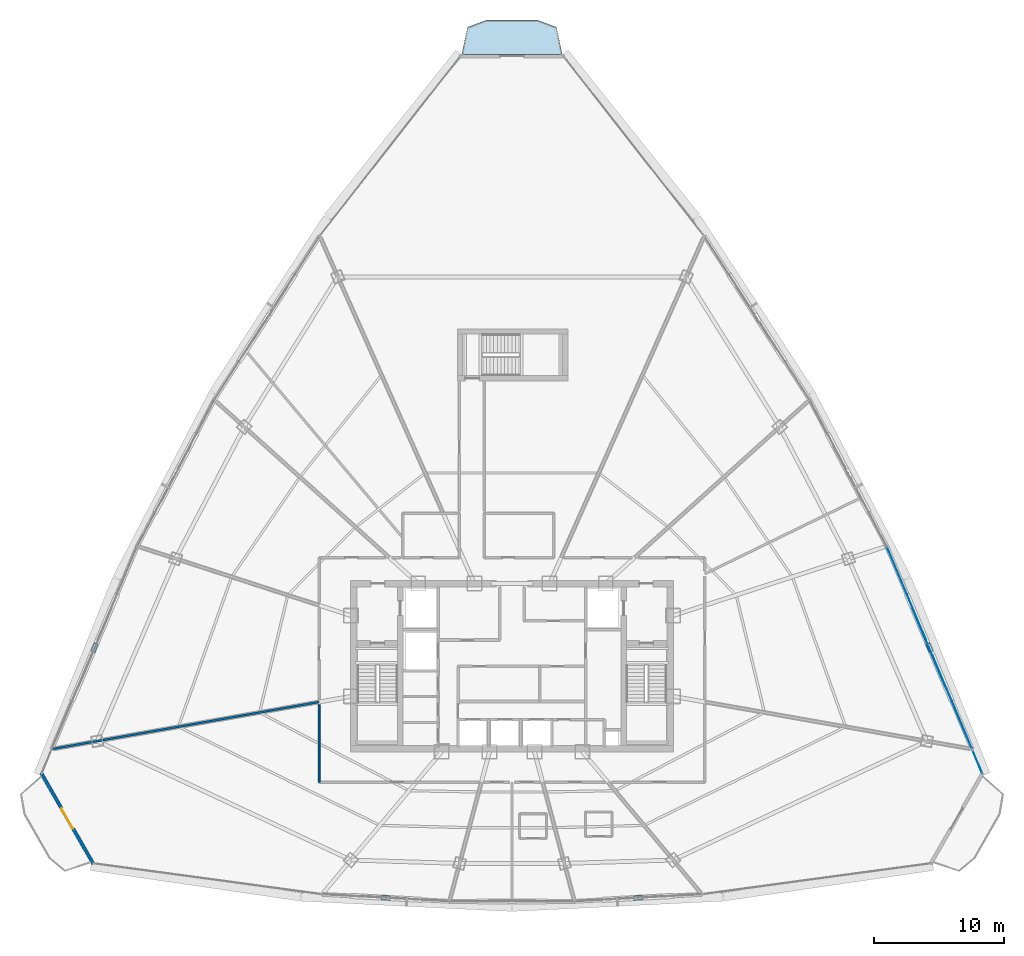
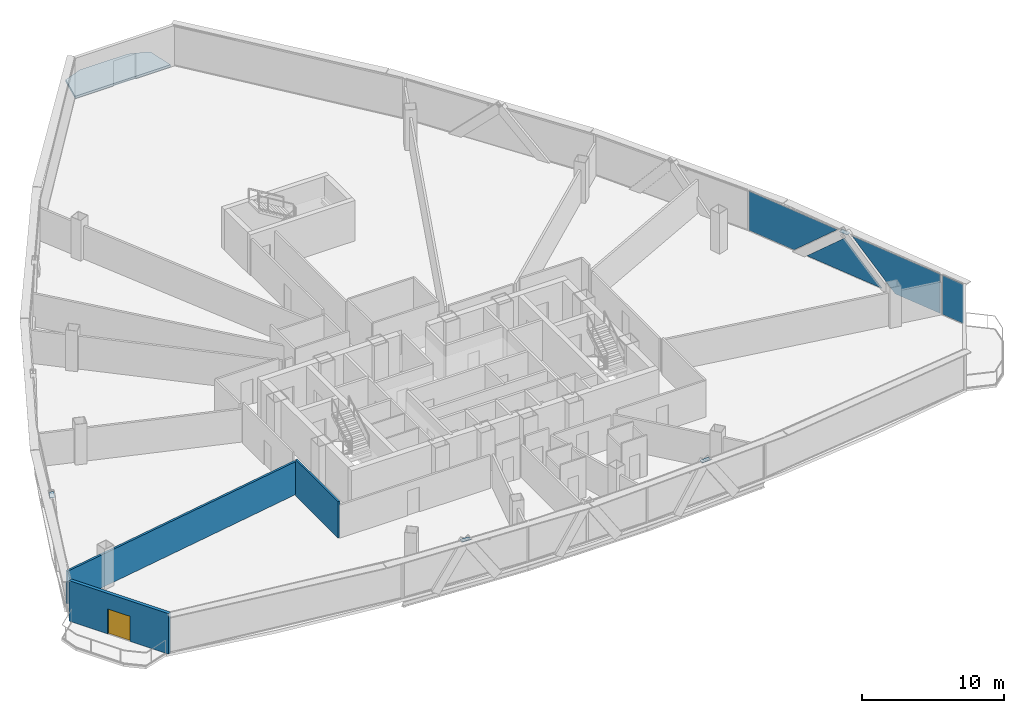
# One storey, part 26 of 34: 8 plates, 3 walls, 1 door, 1 slab, 1 opening, 2 elements without a shape of their own.
"""IFC4 building model written with IfcOpenShell, lengths in metres."""

from ifc_helpers import new_model, si_unit, direction, frame, frame_2d, origin, origin_with_axes, origin_2d, place, context, subcontext, project, spatial, polyline, rectangle, outline, extrude, source, transform, mapped, material, layer, layer_set, type_object, element, fill, aggregate, save


model = new_model("IFC4")

# Units and contexts
model_context = context("Model", 3, precision=1e-05, world=origin(), true_north=direction((0.0, 1.0)))
body_context = subcontext(model_context, "Body", "Model", "MODEL_VIEW")
ifc_project = project(units=[si_unit("LENGTHUNIT", "METRE"), si_unit("AREAUNIT", "SQUARE_METRE"), si_unit("VOLUMEUNIT", "CUBIC_METRE"), si_unit("PLANEANGLEUNIT", "RADIAN"), si_unit("MASSUNIT", "GRAM", prefix="KILO"), si_unit("THERMODYNAMICTEMPERATUREUNIT", "KELVIN"), si_unit("POWERUNIT", "WATT")], contexts=[model_context])

# Site, building, storey
site_placement = place(None, origin())
site = spatial("IfcSite", under=ifc_project, at=site_placement, CompositionType="ELEMENT")
building_placement = place(site_placement, origin())
building = spatial("IfcBuilding", under=site, at=building_placement, Name="Yunzhuo Pagoda Commons", CompositionType="ELEMENT")
storey_placement = place(building_placement, frame((0.0, 0.0, 229.610107421875)))
storey = spatial("IfcBuildingStorey", under=building, at=storey_placement, Name="L57", CompositionType="ELEMENT", Elevation=229.610107421875)

# Curtain wall, plates
ifc_material_1 = material(Name="Anodized aluminium 6063-T6", Category="aluminium")
ifc_layer_1 = layer(ifc_material_1, 0.139892578125)
ifc_layer_set_1 = layer_set([ifc_layer_1], Name="Anodized aluminium 6063-T6")
curtain_wall_type = type_object("IfcCurtainWallType", Name="CW-HI High-Zone Ribbon Curtain Wall", PredefinedType="NOTDEFINED", material=ifc_layer_set_1)
curtain_wall_1_placement = place(storey_placement, origin())
curtain_wall_1 = element("IfcCurtainWall", 1, at=curtain_wall_1_placement, inside=storey, type_object=curtain_wall_type, Name="L57 curtain wall CW-L57-F2B2", PredefinedType="NOTDEFINED")
ifc_material_2 = material(Name="Tempered low-e double glazing", Category="glass")
ifc_layer_2 = layer(ifc_material_2, 0.02587890625)
ifc_layer_set_2 = layer_set([ifc_layer_2], Name="Tempered low-e double glazing")
plate_type_1 = type_object("IfcPlateType", Name="CW-HI-P Low-E Double Glazing 26", PredefinedType="CURTAIN_PANEL", material=ifc_layer_set_2)
plate_1_placement = place(storey_placement, frame((81.876953125, 31.087158203125, 1.73486328125), z_axis=(0.92158893956, 0.388167266112, 0.0), x_axis=(-0.388167266112, 0.92158893956, 0.0)))
plate_1 = element("IfcPlate", 2, at=plate_1_placement, type_object=plate_type_1, Name="CW panel 1.1 lite 1", PredefinedType="CURTAIN_PANEL", context=body_context, shape_type="SweptSolid", body=[
    extrude(outline(polyline([(-3.887939453125, -1.679931640625), (0.0712890625, -1.679931640625), (3.887939453125, 1.679931640625), (-3.887939453125, 1.679931640625), (-3.887939453125, -1.679931640625)])), origin(), (0.0, 0.0, 1.0), 0.028076171875),
])
plate_2_placement = place(storey_placement, frame((80.0927734375, 35.24609375, 1.50927734375), z_axis=(0.92158893956, 0.388167266112, 0.0), x_axis=(-0.388167266112, 0.92158893956, 0.0)))
plate_2 = element("IfcPlate", 3, at=plate_2_placement, type_object=plate_type_1, Name="CW panel 1.1 lite 2", PredefinedType="CURTAIN_PANEL", context=body_context, shape_type="SweptSolid", body=[
    extrude(outline(polyline([(-3.303955078125, -1.454345703125), (3.303955078125, -1.454345703125), (0.0, 1.454345703125), (-3.303955078125, -1.454345703125)])), origin(), (0.0, 0.0, 1.0), 0.028076171875),
])
plate_3_placement = place(storey_placement, frame((78.36376953125, 39.42822265625, 1.73486328125), z_axis=(0.92158893956, 0.388167266112, 0.0), x_axis=(-0.388167266112, 0.92158893956, 0.0)))
plate_3 = element("IfcPlate", 4, at=plate_3_placement, type_object=plate_type_1, Name="CW panel 1.1 lite 3", PredefinedType="CURTAIN_PANEL", context=body_context, shape_type="SweptSolid", body=[
    extrude(outline(polyline([(-3.887939453125, 1.679931640625), (-0.0712890625, -1.679931640625), (3.887939453125, -1.679931640625), (3.887939453125, 1.679931640625), (-3.887939453125, 1.679931640625)])), origin(), (0.0, 0.0, 1.0), 0.028076171875),
])
aggregate(curtain_wall_1, [plate_1, plate_2, plate_3])

# Slab
ifc_material_3 = material(Name="Concrete C40", Category="concrete")
ifc_layer_3 = layer(ifc_material_3, 0.199951171875)
ifc_layer_set_3 = layer_set([ifc_layer_3], Name="Concrete C40")
slab_type = type_object("IfcSlabType", Name="SL-BAL Vertex Balcony Deck Slab 200", PredefinedType="FLOOR", material=ifc_layer_set_3)
slab_placement = place(storey_placement, frame((0.0, 0.0, -0.2001953125)))
element("IfcSlab", 5, at=slab_placement, inside=storey, type_object=slab_type, Name="L57 corner balcony V3", PredefinedType="FLOOR", context=body_context, shape_type="SweptSolid", body=[
    extrude(outline(polyline([(51.870849609375, 80.93701171875), (44.129150390625, 80.93701171875), (44.5791015625, 83.031982421875), (46.064697265625, 83.581787109375), (49.935302734375, 83.581787109375), (51.4208984375, 83.031982421875), (51.870849609375, 80.93701171875)])), origin(), (0.0, 0.0, 1.0), 0.2001953125),
])

# Plates
ifc_material_4 = material(Name="Structural steel Q355B", Category="steel")
ifc_layer_4 = layer(ifc_material_4, 0.028076171875)
ifc_layer_set_4 = layer_set([ifc_layer_4], Name="Structural steel Q355B")
plate_type_2 = type_object("IfcPlateType", Name="SP-ND1 Lattice Node Cap Plate 800x500x28", PredefinedType="USERDEFINED", material=ifc_layer_set_4)
shared_shape_1 = source(origin(), body_context, "Body", "SweptSolid", [
    extrude(rectangle(XDim=0.699951171875, YDim=0.35009765625, at=origin_2d()), origin(), (0.0, 0.0, 1.0), 0.035888671875),
])
for number, where, z_axis, x_axis, name in (
    (6, (38.281494140625, 16.00341796875, 3.43212890625), (0.0, 0.0, 1.0), (0.998487178719, -0.054985033724, 0.0), "L57 setback lattice tie plate F1.1L"),
    (7, (57.718505859375, 16.00341796875, 3.43212890625), (0.0, 0.0, 1.0), (0.998487178719, 0.054985033724, 0.0), "L57 setback lattice tie plate F1.3L"),
    (8, (80.13330078125, 35.26318359375, 3.43212890625), (0.0, 0.0, 1.0), (-0.388175158617, 0.921585615248, 0.0), "L57 setback lattice tie plate F2.1L"),
    (9, (15.86669921875, 35.26318359375, 3.43212890625), (0.0, 0.0, 1.0), (-0.388175158617, -0.921585615248, 0.0), "L57 setback lattice tie plate F3.3L"),
):
    element("IfcPlate", number, at=place(storey_placement, frame(where, z_axis=z_axis, x_axis=x_axis)), inside=storey, type_object=plate_type_2, Name=name, ObjectType="STIFFENER_PLATE", PredefinedType="USERDEFINED", context=body_context, shape_type="MappedRepresentation", body=[
        mapped(shared_shape_1, transform((0.0, 0.0, 0.0), scale=1.0)),
    ])

# Curtain wall, plate
curtain_wall_2_placement = place(storey_placement, origin())
curtain_wall_2 = element("IfcCurtainWall", 10, at=curtain_wall_2_placement, inside=storey, type_object=curtain_wall_type, Name="L57 curtain wall CW-L57-F2B1", PredefinedType="NOTDEFINED")
shared_shape_2 = source(origin(), body_context, "Body", "SweptSolid", [
    extrude(rectangle(XDim=1.85595703125, YDim=0.028076171875, at=origin_2d()), origin(), (0.0, 0.0, 1.0), 3.360107421875),
])
plate_4_placement = place(storey_placement, frame((83.83203125, 26.47314453125, 0.0546875), z_axis=(0.0, 0.0, 1.0), x_axis=(-0.385344767667, 0.922772675165, 0.0)))
plate_4 = element("IfcPlate", 11, at=plate_4_placement, type_object=plate_type_1, Name="CW panel 1.1", PredefinedType="CURTAIN_PANEL", context=body_context, shape_type="MappedRepresentation", body=[
    mapped(shared_shape_2, transform((0.0, 0.0, 0.0), scale=1.0)),
])
aggregate(curtain_wall_2, [plate_4])

# Wall, opening, door
ifc_material_5 = material(Name="Precast concrete C40", Category="concrete")
ifc_layer_5 = layer(ifc_material_5, 0.260009765625)
ifc_layer_set_5 = layer_set([ifc_layer_5], Name="Precast concrete C40")
wall_type_1 = type_object("IfcWallType", Name="W-BAL1 Corner Balcony Threshold Wall 260", PredefinedType="STANDARD", material=ifc_layer_set_5)
wall_1_placement = place(storey_placement, frame((11.759765625, 25.609375, 0.0), z_axis=(0.0, 0.0, 1.0), x_axis=(0.49791595327, -0.867225289921, 0.0)))
wall_1 = element("IfcWall", 12, at=wall_1_placement, inside=storey, type_object=wall_type_1, Name="L57 corner balcony wall V1", PredefinedType="STANDARD", context=body_context, shape_type="SweptSolid", body=[
    extrude(rectangle(XDim=8.07373046875, YDim=0.260009765625, at=frame_2d((4.036865234375, 0.0))), origin(), (0.0, 0.0, 1.0), 3.469970703125),
])
opening_placement = place(wall_1_placement, frame((3.136962890625, 0.0, 0.0)))
opening = element("IfcOpeningElement", 13, at=opening_placement, cuts=wall_1, Name="Opening D-BAL1", PredefinedType="OPENING", context=body_context, shape_type="SweptSolid", body=[
    extrude(rectangle(XDim=1.800048828125, YDim=2.14990234375, at=frame_2d((0.89990234375, 1.074951171875))), frame((0.0, 0.14013671875, 0.0), z_axis=(0.0, -1.0, 0.0), x_axis=(1.0, 0.0, 0.0)), (0.0, 0.0, 1.0), 0.280029296875),
])
ifc_material_6 = material(Name="Anodized aluminium frame and tempered glazed leaf", Category="aluminium")
door_type = type_object("IfcDoorType", Name="D-BAL1 Corner Balcony Sliding Glazed Door 1800x2150", OperationType="DOUBLE_DOOR_SLIDING", PredefinedType="DOOR", material=ifc_material_6)
shared_shape_3 = source(origin(), body_context, "Body", "SweptSolid", [
    extrude(rectangle(XDim=1.800048828125, YDim=2.14990234375, at=frame_2d((0.89990234375, 1.074951171875))), frame((0.0, 0.02490234375, 0.0), z_axis=(0.0, -1.0, 0.0), x_axis=(1.0, 0.0, 0.0)), (0.0, 0.0, 1.0), 0.050048828125),
])
door_placement = place(opening_placement, origin_with_axes())
door = element("IfcDoor", 14, at=door_placement, inside=storey, type_object=door_type, Name="L57 corner balcony sliding door V1", OperationType="DOUBLE_DOOR_SLIDING", OverallHeight=2.14990234375, OverallWidth=1.800048828125, PredefinedType="DOOR", context=body_context, shape_type="MappedRepresentation", body=[
    mapped(shared_shape_3, transform((0.0, 0.0, 0.0), scale=1.0)),
])
fill(opening, door)

# Walls
ifc_material_7 = material(Name="Gypsum plasterboard on acoustic stud")
ifc_layer_6 = layer(ifc_material_7, 0.14990234375)
ifc_layer_set_6 = layer_set([ifc_layer_6], Name="Gypsum plasterboard on acoustic stud")
wall_type_2 = type_object("IfcWallType", Name="W-COR3 High-Zone Rated Corridor Wall 150", PredefinedType="PARTITIONING", material=ifc_layer_set_6)
wall_2_placement = place(storey_placement, frame((33.14990234375, 24.89990234375, 0.0), z_axis=(0.0, 0.0, 1.0), x_axis=(0.0, 1.0, 0.0)))
element("IfcWall", 15, at=wall_2_placement, inside=storey, type_object=wall_type_2, Name="L57 interior wall IW-L57-CWL01", PredefinedType="PARTITIONING", context=body_context, shape_type="SweptSolid", body=[
    extrude(rectangle(XDim=5.958251953125, YDim=0.14990234375, at=frame_2d((2.97900390625, 0.0))), origin(), (0.0, 0.0, 1.0), 3.119873046875),
])
ifc_layer_7 = layer(ifc_material_7, 0.169921875)
ifc_layer_set_7 = layer_set([ifc_layer_7], Name="Gypsum plasterboard on acoustic stud")
wall_type_3 = type_object("IfcWallType", Name="W-PRT4 High-Zone Demising Wall 170", PredefinedType="PARTITIONING", material=ifc_layer_set_7)
wall_3_placement = place(storey_placement, frame((33.14990234375, 31.08154296875, 0.0), z_axis=(0.0, 0.0, 1.0), x_axis=(-0.984808138799, -0.17364598975, 0.0)))
element("IfcWall", 16, at=wall_3_placement, inside=storey, type_object=wall_type_3, Name="L57 interior wall IW-L57-RAD08", PredefinedType="PARTITIONING", context=body_context, shape_type="SweptSolid", body=[
    extrude(rectangle(XDim=20.889892578125, YDim=0.169921875, at=frame_2d((10.44482421875, 0.0))), origin(), (0.0, 0.0, 1.0), 2.81982421875),
])

save(model, "model.ifc")
